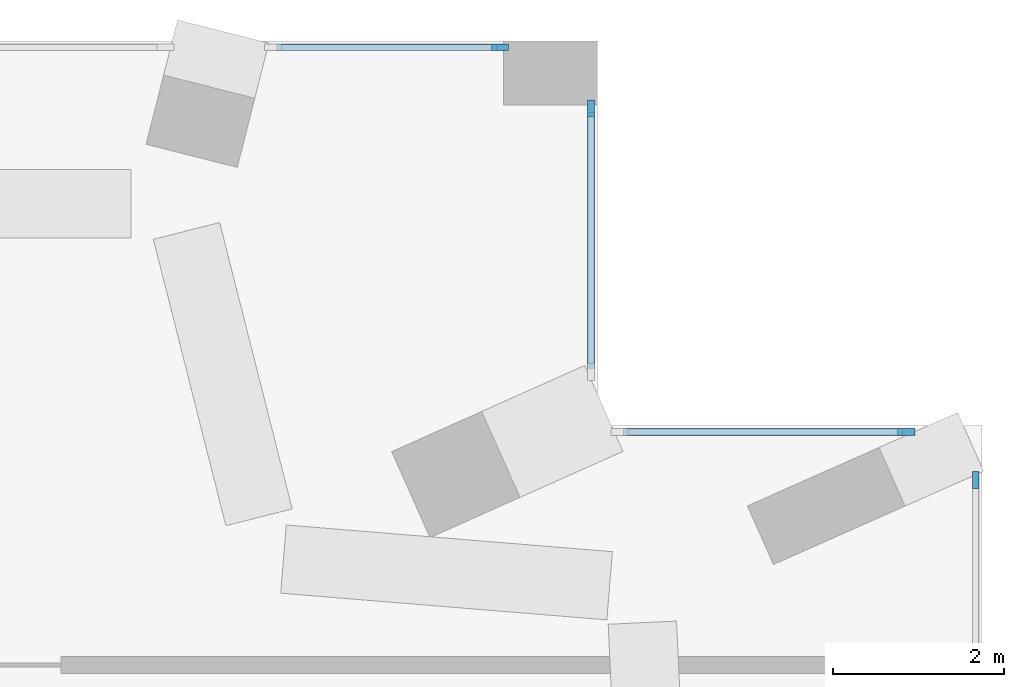
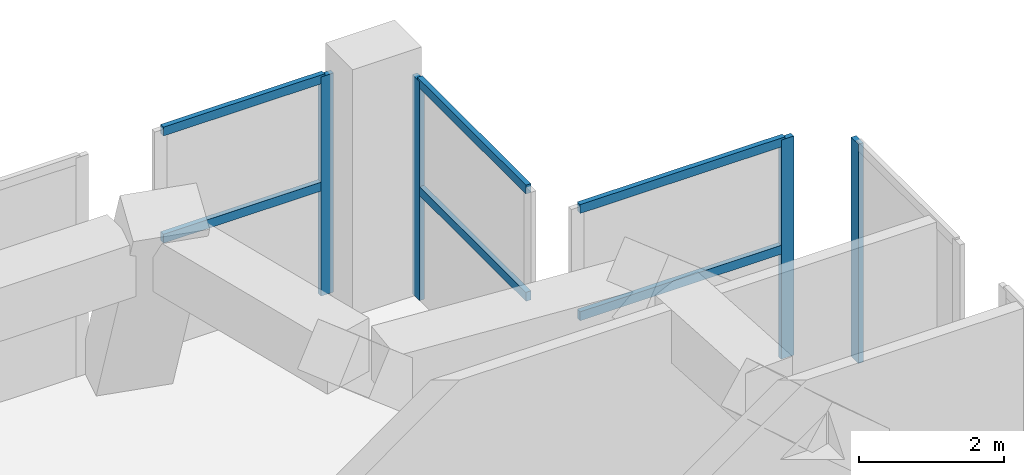
# One storey, part 11 of 20: 10 members, 4 elements without a shape of their own.
"""IFC4 building model written with IfcOpenShell, lengths in metres."""

from ifc_helpers import new_model, si_unit, direction, frame, origin, origin_2d, place, context, subcontext, project, spatial, rectangle, extrude, material, layer, layer_set, material_profile, profile_set, type_object, element, aggregate, save


model = new_model("IFC4")

# Units and contexts
model_context = context("Model", 3, precision=1e-05, world=origin(), true_north=direction((0.0, 1.0)))
body_context = subcontext(model_context, "Body", "Model", "MODEL_VIEW")
ifc_project = project(units=[si_unit("LENGTHUNIT", "METRE"), si_unit("AREAUNIT", "SQUARE_METRE"), si_unit("VOLUMEUNIT", "CUBIC_METRE"), si_unit("PLANEANGLEUNIT", "RADIAN"), si_unit("MASSUNIT", "GRAM", prefix="KILO")], contexts=[model_context])

# Site, building, storey
site_placement = place(None, origin())
site = spatial("IfcSite", under=ifc_project, at=site_placement, CompositionType="ELEMENT")
building_placement = place(site_placement, origin())
building = spatial("IfcBuilding", under=site, at=building_placement, Name="Brigalow Station Residences", CompositionType="ELEMENT")
storey_placement = place(building_placement, frame((0.0, 0.0, 137.10009765625)))
storey = spatial("IfcBuildingStorey", under=building, at=storey_placement, Name="L39", CompositionType="ELEMENT", Elevation=137.10009765625)

# Curtain wall, member
ifc_material_1 = material(Name="Aluminium", Category="aluminium")
ifc_layer = layer(ifc_material_1, 0.199951171875)
ifc_layer_set = layer_set([ifc_layer], Name="REFUGE FLOOR LOUVRE CURTAIN WALL")
curtain_wall_type = type_object("IfcCurtainWallType", Name="REFUGE FLOOR LOUVRE CURTAIN WALL", PredefinedType="NOTDEFINED", material=ifc_layer_set)
curtain_wall_1_placement = place(storey_placement, origin())
curtain_wall_1 = element("IfcCurtainWall", 1, at=curtain_wall_1_placement, inside=storey, type_object=curtain_wall_type, Name="L39/cw/louvre-W-L39-18-17", PredefinedType="NOTDEFINED")
ifc_material_2 = material(Name="Aluminium", Category="aluminium")
ifc_material_profile_1 = material_profile(ifc_material_2, rectangle(XDim=0.080078125, YDim=0.199951171875, at=origin_2d()), Name="REFUGE FLOOR LOUVRE MULLION 80x200")
ifc_profile_set_1 = profile_set([ifc_material_profile_1], Name="Aluminium")
member_type_1 = type_object("IfcMemberType", Name="REFUGE FLOOR LOUVRE MULLION 80x200", PredefinedType="MULLION", material=ifc_profile_set_1)
member_1_placement = place(storey_placement, frame((76.425048828125, 40.363525390625, 0.0), z_axis=(0.0, 0.0, 1.0), x_axis=(-1.0, 0.0, 0.0)))
member_1 = element("IfcMember", 2, at=member_1_placement, type_object=member_type_1, Name="L39/cw/louvre-W-L39-18-17/M01", PredefinedType="MULLION", context=body_context, shape_type="SweptSolid", body=[
    extrude(rectangle(XDim=0.080078125, YDim=0.199951171875, at=origin_2d()), origin(), (0.0, 0.0, 1.0), 3.699951171875),
])
aggregate(curtain_wall_1, [member_1])

curtain_wall_2_placement = place(storey_placement, origin())
curtain_wall_2 = element("IfcCurtainWall", 3, at=curtain_wall_2_placement, inside=storey, type_object=curtain_wall_type, Name="L39/cw/louvre-W-L39-21-18", PredefinedType="NOTDEFINED")
member_2_placement = place(storey_placement, frame((75.6123046875, 40.925048828125, 0.0), z_axis=(0.0, 0.0, 1.0), x_axis=(0.0, -1.0, 0.0)))
member_2 = element("IfcMember", 4, at=member_2_placement, type_object=member_type_1, Name="L39/cw/louvre-W-L39-21-18/M00", PredefinedType="MULLION", context=body_context, shape_type="SweptSolid", body=[
    extrude(rectangle(XDim=0.080078125, YDim=0.199951171875, at=origin_2d()), origin(), (0.0, 0.0, 1.0), 3.699951171875),
])

curtain_wall_3_placement = place(storey_placement, origin())
curtain_wall_3 = element("IfcCurtainWall", 5, at=curtain_wall_3_placement, inside=storey, type_object=curtain_wall_type, Name="L39/cw/louvre-W-L39-22-19", PredefinedType="NOTDEFINED")
member_3_placement = place(storey_placement, frame((71.925048828125, 44.7099609375, 0.0), z_axis=(0.0, 0.0, 1.0), x_axis=(-1.0, 0.0, 0.0)))
member_3 = element("IfcMember", 6, at=member_3_placement, type_object=member_type_1, Name="L39/cw/louvre-W-L39-22-19/M01", PredefinedType="MULLION", context=body_context, shape_type="SweptSolid", body=[
    extrude(rectangle(XDim=0.080078125, YDim=0.199951171875, at=origin_2d()), origin(), (0.0, 0.0, 1.0), 3.699951171875),
])

curtain_wall_4_placement = place(storey_placement, origin())
curtain_wall_4 = element("IfcCurtainWall", 7, at=curtain_wall_4_placement, inside=storey, type_object=curtain_wall_type, Name="L39/cw/louvre-W-L39-23-20", PredefinedType="NOTDEFINED")
member_4_placement = place(storey_placement, frame((70.860107421875, 45.425048828125, 0.0), z_axis=(0.0, 0.0, 1.0), x_axis=(0.0, -1.0, 0.0)))
member_4 = element("IfcMember", 8, at=member_4_placement, type_object=member_type_1, Name="L39/cw/louvre-W-L39-23-20/M00", PredefinedType="MULLION", context=body_context, shape_type="SweptSolid", body=[
    extrude(rectangle(XDim=0.080078125, YDim=0.199951171875, at=origin_2d()), origin(), (0.0, 0.0, 1.0), 3.699951171875),
])

# Member
ifc_material_3 = material(Name="Aluminium", Category="aluminium")
ifc_material_profile_2 = material_profile(ifc_material_3, rectangle(XDim=0.080078125, YDim=0.14990234375, at=origin_2d()), Name="REFUGE FLOOR LOUVRE TRANSOM 80x150")
ifc_profile_set_2 = profile_set([ifc_material_profile_2], Name="Aluminium")
member_type_2 = type_object("IfcMemberType", Name="REFUGE FLOOR LOUVRE TRANSOM 80x150", PredefinedType="USERDEFINED", material=ifc_profile_set_2)
member_5_placement = place(storey_placement, frame((75.572265625, 40.925048828125, 1.849853515625), z_axis=(-1.0, 0.0, 0.0), x_axis=(0.0, -1.0, 0.0)))
member_5 = element("IfcMember", 9, at=member_5_placement, type_object=member_type_2, Name="L39/cw/louvre-W-L39-21-18/T00-00", ObjectType="TRANSOM", PredefinedType="USERDEFINED", context=body_context, shape_type="SweptSolid", body=[
    extrude(rectangle(XDim=0.080078125, YDim=0.14990234375, at=origin_2d()), origin(), (0.0, 0.0, 1.0), 3.27197265625),
])

member_6_placement = place(storey_placement, frame((75.572265625, 40.925048828125, 3.659912109375), z_axis=(-1.0, 0.0, 0.0), x_axis=(0.0, -1.0, 0.0)))
member_6 = element("IfcMember", 10, at=member_6_placement, type_object=member_type_2, Name="L39/cw/louvre-W-L39-21-18/T00-01", ObjectType="TRANSOM", PredefinedType="USERDEFINED", context=body_context, shape_type="SweptSolid", body=[
    extrude(rectangle(XDim=0.080078125, YDim=0.14990234375, at=origin_2d()), origin(), (0.0, 0.0, 1.0), 3.27197265625),
])

aggregate(curtain_wall_2, [member_2, member_5, member_6])

member_7_placement = place(storey_placement, frame((71.925048828125, 41.66552734375, 1.849853515625), z_axis=(0.0, 1.0, 0.0), x_axis=(-1.0, 0.0, 0.0)))
member_7 = element("IfcMember", 11, at=member_7_placement, type_object=member_type_2, Name="L39/cw/louvre-W-L39-22-19/T00-00", ObjectType="TRANSOM", PredefinedType="USERDEFINED", context=body_context, shape_type="SweptSolid", body=[
    extrude(rectangle(XDim=0.080078125, YDim=0.14990234375, at=origin_2d()), origin(), (0.0, 0.0, 1.0), 3.00439453125),
])

member_8_placement = place(storey_placement, frame((71.925048828125, 41.66552734375, 3.659912109375), z_axis=(0.0, 1.0, 0.0), x_axis=(-1.0, 0.0, 0.0)))
member_8 = element("IfcMember", 12, at=member_8_placement, type_object=member_type_2, Name="L39/cw/louvre-W-L39-22-19/T00-01", ObjectType="TRANSOM", PredefinedType="USERDEFINED", context=body_context, shape_type="SweptSolid", body=[
    extrude(rectangle(XDim=0.080078125, YDim=0.14990234375, at=origin_2d()), origin(), (0.0, 0.0, 1.0), 3.00439453125),
])

aggregate(curtain_wall_3, [member_3, member_7, member_8])

member_9_placement = place(storey_placement, frame((70.820068359375, 45.425048828125, 1.849853515625), z_axis=(-1.0, 0.0, 0.0), x_axis=(0.0, -1.0, 0.0)))
member_9 = element("IfcMember", 13, at=member_9_placement, type_object=member_type_2, Name="L39/cw/louvre-W-L39-23-20/T00-00", ObjectType="TRANSOM", PredefinedType="USERDEFINED", context=body_context, shape_type="SweptSolid", body=[
    extrude(rectangle(XDim=0.080078125, YDim=0.14990234375, at=origin_2d()), origin(), (0.0, 0.0, 1.0), 2.576171875),
])

member_10_placement = place(storey_placement, frame((70.820068359375, 45.425048828125, 3.659912109375), z_axis=(-1.0, 0.0, 0.0), x_axis=(0.0, -1.0, 0.0)))
member_10 = element("IfcMember", 14, at=member_10_placement, type_object=member_type_2, Name="L39/cw/louvre-W-L39-23-20/T00-01", ObjectType="TRANSOM", PredefinedType="USERDEFINED", context=body_context, shape_type="SweptSolid", body=[
    extrude(rectangle(XDim=0.080078125, YDim=0.14990234375, at=origin_2d()), origin(), (0.0, 0.0, 1.0), 2.576171875),
])

aggregate(curtain_wall_4, [member_4, member_9, member_10])

save(model, "model.ifc")
